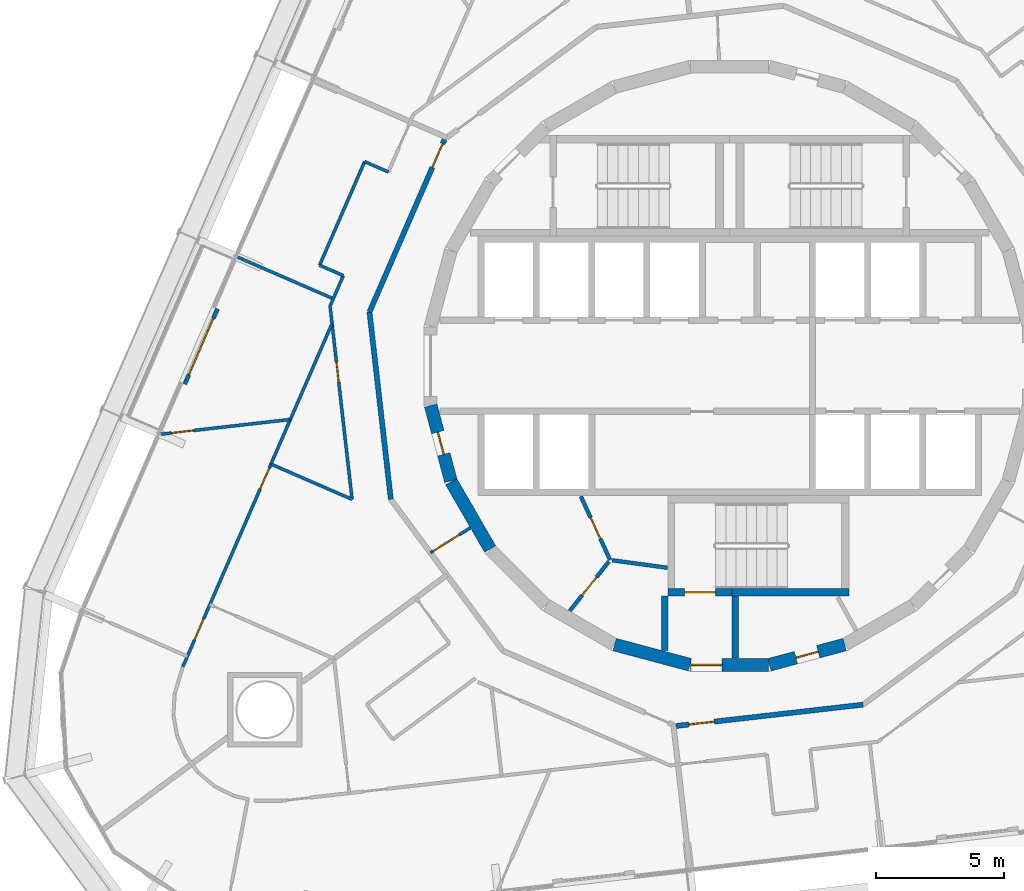
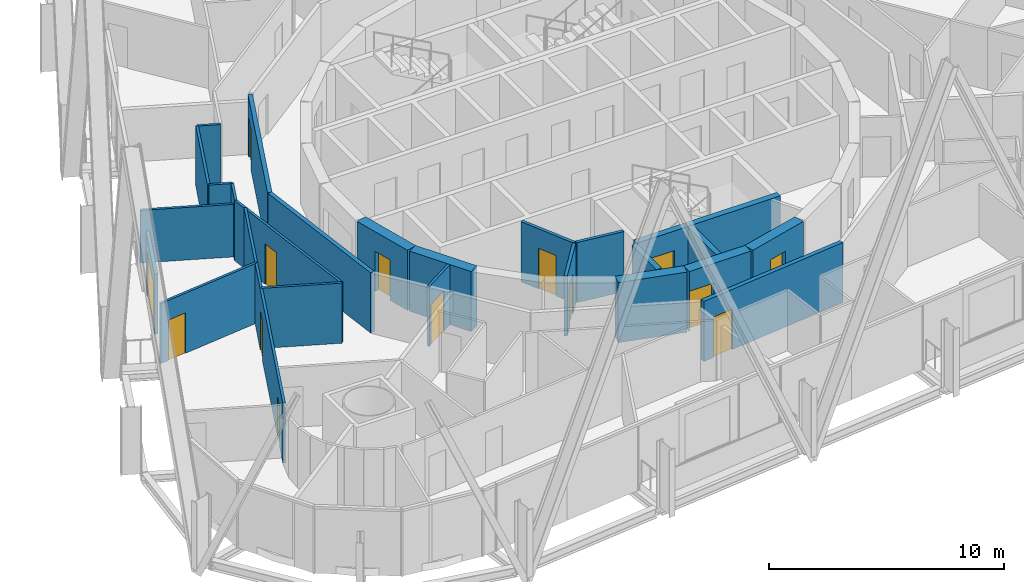
# One storey, part 17 of 23: 27 walls, 14 doors, 14 openings.
"""IFC4 building model written with IfcOpenShell, lengths in metres."""

from ifc_helpers import new_model, si_unit, direction, frame, frame_2d, origin, place, context, subcontext, project, spatial, rectangle, extrude, material, layer, layer_set, type_object, element, fill, save


model = new_model("IFC4")

# Units and contexts
model_context = context("Model", 3, precision=1e-05, world=origin(), true_north=direction((0.0, 1.0)))
body_context = subcontext(model_context, "Body", "Model", "MODEL_VIEW")
ifc_project = project(units=[si_unit("LENGTHUNIT", "METRE"), si_unit("AREAUNIT", "SQUARE_METRE"), si_unit("VOLUMEUNIT", "CUBIC_METRE"), si_unit("PLANEANGLEUNIT", "RADIAN"), si_unit("MASSUNIT", "GRAM", prefix="KILO")], contexts=[model_context])

# Site, building, storey
site_placement = place(None, origin())
site = spatial("IfcSite", under=ifc_project, at=site_placement, CompositionType="ELEMENT")
building_placement = place(site_placement, origin())
building = spatial("IfcBuilding", under=site, at=building_placement, Name="Spindle Arch Residences", CompositionType="ELEMENT")
storey_placement = place(building_placement, frame((0.0, 0.0, 90.699951171875)))
storey = spatial("IfcBuildingStorey", under=building, at=storey_placement, Name="L21", CompositionType="ELEMENT", Elevation=90.699951171875)

# Wall, opening, door
ifc_material_1 = material(Name="Concrete C50/60", Category="concrete")
ifc_layer_1 = layer(ifc_material_1, 0.5)
ifc_layer_set_1 = layer_set([ifc_layer_1], Name="Core outline wall 500")
wall_type_1 = type_object("IfcWallType", Name="Core outline wall 500", PredefinedType="SHEAR", material=ifc_layer_set_1)
wall_1_placement = place(storey_placement, frame((1.5498046875, -11.642822265625, 0.0), z_axis=(0.0, 0.0, 1.0), x_axis=(0.965948410781, 0.258734743916, 0.0)))
wall_1 = element("IfcWall", 1, at=wall_1_placement, inside=storey, type_object=wall_type_1, Name="Core outline wall 1", PredefinedType="SHEAR", context=body_context, shape_type="SweptSolid", body=[
    extrude(rectangle(XDim=3.03271484375, YDim=0.5, at=frame_2d((1.516357421875, 0.0))), origin(), (0.0, 0.0, 1.0), 3.1201171875),
])
opening_1_placement = place(wall_1_placement, frame((1.06640625, 0.0, 0.0)))
opening_1 = element("IfcOpeningElement", 2, at=opening_1_placement, cuts=wall_1, Name="Opening R2B0-WD08", PredefinedType="OPENING", context=body_context, shape_type="SweptSolid", body=[
    extrude(rectangle(XDim=0.89990234375, YDim=2.10009765625, at=frame_2d((0.449951171875, 1.050048828125))), frame((0.0, 0.260009765625, 0.0), z_axis=(0.0, -1.0, 0.0), x_axis=(1.0, 0.0, 0.0)), (0.0, 0.0, 1.0), 0.52001953125),
])
ifc_material_2 = material(Name="Steel, fire-resisting door", Category="steel")
door_type_1 = type_object("IfcDoorType", Name="Service room door 900x2100", OperationType="SINGLE_SWING_LEFT", PredefinedType="DOOR", material=ifc_material_2)
door_1_placement = place(opening_1_placement, origin())
door_1 = element("IfcDoor", 3, at=door_1_placement, inside=storey, type_object=door_type_1, Name="Service room door R2B0-WD08", OperationType="SINGLE_SWING_LEFT", OverallHeight=2.10009765625, OverallWidth=0.89990234375, PredefinedType="DOOR", context=body_context, shape_type="SweptSolid", body=[
    extrude(rectangle(XDim=0.89990234375, YDim=2.10009765625, at=frame_2d((0.449951171875, 1.050048828125))), frame((0.0, 0.02490234375, 0.0), z_axis=(0.0, -1.0, 0.0), x_axis=(1.0, 0.0, 0.0)), (0.0, 0.0, 1.0), 0.050048828125),
])
fill(opening_1, door_1)

wall_2_placement = place(storey_placement, frame((-11.642822265625, -1.5498046875, 0.0), z_axis=(0.0, 0.0, 1.0), x_axis=(0.258734743916, -0.965948410781, 0.0)))
wall_2 = element("IfcWall", 4, at=wall_2_placement, inside=storey, type_object=wall_type_1, Name="Core outline wall 19", PredefinedType="SHEAR", context=body_context, shape_type="SweptSolid", body=[
    extrude(rectangle(XDim=3.03271484375, YDim=0.5, at=frame_2d((1.516357421875, 0.0))), origin(), (0.0, 0.0, 1.0), 3.1201171875),
])
opening_2_placement = place(wall_2_placement, frame((1.06640625, 0.0, 0.0)))
opening_2 = element("IfcOpeningElement", 5, at=opening_2_placement, cuts=wall_2, Name="Opening R2B0-WD09", PredefinedType="OPENING", context=body_context, shape_type="SweptSolid", body=[
    extrude(rectangle(XDim=0.89990234375, YDim=2.10009765625, at=frame_2d((0.449951171875, 1.050048828125))), frame((0.0, 0.260009765625, 0.0), z_axis=(0.0, -1.0, 0.0), x_axis=(1.0, 0.0, 0.0)), (0.0, 0.0, 1.0), 0.52001953125),
])
door_2_placement = place(opening_2_placement, origin())
door_2 = element("IfcDoor", 6, at=door_2_placement, inside=storey, type_object=door_type_1, Name="Service room door R2B0-WD09", OperationType="SINGLE_SWING_RIGHT", OverallHeight=2.10009765625, OverallWidth=0.89990234375, PredefinedType="DOOR", context=body_context, shape_type="SweptSolid", body=[
    extrude(rectangle(XDim=0.89990234375, YDim=2.10009765625, at=frame_2d((0.449951171875, 1.050048828125))), frame((0.0, 0.02490234375, 0.0), z_axis=(0.0, -1.0, 0.0), x_axis=(1.0, 0.0, 0.0)), (0.0, 0.0, 1.0), 0.050048828125),
])
fill(opening_2, door_2)

# Walls
for number, where, z_axis, x_axis, name in (
    (7, (-10.84521484375, -4.510498046875, 0.0), (0.0, 0.0, 1.0), (0.500087131594, -0.865975092491, 0.0), "Core outline wall 20"),
    (8, (-4.479248046875, -10.858154296875, 0.0), (0.0, 0.0, 1.0), (0.965948410781, -0.258734743916, 0.0), "Core outline wall 23"),
):
    element("IfcWall", number, at=place(storey_placement, frame(where, z_axis=z_axis, x_axis=x_axis)), inside=storey, type_object=wall_type_1, Name=name, PredefinedType="SHEAR", context=body_context, shape_type="SweptSolid", body=[
        extrude(rectangle(XDim=3.03271484375, YDim=0.5, at=frame_2d((1.516357421875, 0.0))), origin(), (0.0, 0.0, 1.0), 3.1201171875),
    ])

# Wall, opening, door
wall_3_placement = place(storey_placement, frame((-1.516357421875, -11.647216796875, 0.0), z_axis=(0.0, 0.0, 1.0), x_axis=(1.0, 0.0, 0.0)))
wall_3 = element("IfcWall", 9, at=wall_3_placement, inside=storey, type_object=wall_type_1, Name="Core outline wall 24", PredefinedType="SHEAR", context=body_context, shape_type="SweptSolid", body=[
    extrude(rectangle(XDim=3.03271484375, YDim=0.5, at=frame_2d((1.516357421875, 0.0))), origin(), (0.0, 0.0, 1.0), 3.1201171875),
])
opening_3_placement = place(wall_3_placement, frame((0.016357421875, 0.0, 0.0)))
opening_3 = element("IfcOpeningElement", 10, at=opening_3_placement, cuts=wall_3, Name="Opening R2B0-AD03", PredefinedType="OPENING", context=body_context, shape_type="SweptSolid", body=[
    extrude(rectangle(XDim=1.199951171875, YDim=2.10009765625, at=frame_2d((0.60009765625, 1.050048828125))), frame((0.0, 0.260009765625, 0.0), z_axis=(0.0, -1.0, 0.0), x_axis=(1.0, 0.0, 0.0)), (0.0, 0.0, 1.0), 0.52001953125),
])
ifc_material_3 = material(Name="Steel, fire-resisting door", Category="steel")
door_type_2 = type_object("IfcDoorType", Name="Stair airlock door 1200x2100", OperationType="SINGLE_SWING_LEFT", PredefinedType="DOOR", material=ifc_material_3)
door_3_placement = place(opening_3_placement, origin())
door_3 = element("IfcDoor", 11, at=door_3_placement, inside=storey, type_object=door_type_2, Name="Stair airlock door R2B0-AD03", OperationType="SINGLE_SWING_RIGHT", OverallHeight=2.10009765625, OverallWidth=1.199951171875, PredefinedType="DOOR", context=body_context, shape_type="SweptSolid", body=[
    extrude(rectangle(XDim=1.199951171875, YDim=2.10009765625, at=frame_2d((0.60009765625, 1.050048828125))), frame((0.0, 0.02490234375, 0.0), z_axis=(0.0, -1.0, 0.0), x_axis=(1.0, 0.0, 0.0)), (0.0, 0.0, 1.0), 0.050048828125),
])
fill(opening_3, door_3)

ifc_material_4 = material(Name="Plasterboard on steel studs", Category="steel")
ifc_layer_2 = layer(ifc_material_4, 0.1201171875)
ifc_layer_set_2 = layer_set([ifc_layer_2], Name="Corridor division wall 120")
wall_type_2 = type_object("IfcWallType", Name="Corridor division wall 120", PredefinedType="PARTITIONING", material=ifc_layer_set_2)
wall_4_placement = place(storey_placement, frame((-11.654296875, -7.2822265625, 0.0), z_axis=(0.0, 0.0, 1.0), x_axis=(0.848117698675, 0.529807860638, 0.0)))
wall_4 = element("IfcWall", 12, at=wall_4_placement, inside=storey, type_object=wall_type_2, Name="Corridor division wall R2B0-W003", PredefinedType="PARTITIONING", context=body_context, shape_type="SweptSolid", body=[
    extrude(rectangle(XDim=1.837646484375, YDim=0.1201171875, at=frame_2d((0.9189453125, 0.0))), origin(), (0.0, 0.0, 1.0), 3.1201171875),
])
opening_4_placement = place(wall_4_placement, frame((0.114990234375, 0.0, 0.0)))
opening_4 = element("IfcOpeningElement", 13, at=opening_4_placement, cuts=wall_4, Name="Opening R2B0-CD03", PredefinedType="OPENING", context=body_context, shape_type="SweptSolid", body=[
    extrude(rectangle(XDim=1.199951171875, YDim=2.10009765625, at=frame_2d((0.60009765625, 1.050048828125))), frame((0.0, 0.070068359375, 0.0), z_axis=(0.0, -1.0, 0.0), x_axis=(1.0, 0.0, 0.0)), (0.0, 0.0, 1.0), 0.14013671875),
])
ifc_material_5 = material(Name="Steel, fire-resisting door", Category="steel")
door_type_3 = type_object("IfcDoorType", Name="Corridor division door 1200x2100", OperationType="NOTDEFINED", PredefinedType="DOOR", material=ifc_material_5)
door_4_placement = place(opening_4_placement, origin())
door_4 = element("IfcDoor", 14, at=door_4_placement, inside=storey, type_object=door_type_3, Name="Corridor division door R2B0-CD03", OperationType="DOUBLE_DOOR_SINGLE_SWING", OverallHeight=2.10009765625, OverallWidth=1.199951171875, PredefinedType="DOOR", context=body_context, shape_type="SweptSolid", body=[
    extrude(rectangle(XDim=1.199951171875, YDim=2.10009765625, at=frame_2d((0.60009765625, 1.050048828125))), frame((0.0, 0.02490234375, 0.0), z_axis=(0.0, -1.0, 0.0), x_axis=(1.0, 0.0, 0.0)), (0.0, 0.0, 1.0), 0.050048828125),
])
fill(opening_4, door_4)

ifc_material_6 = material(Name="Calcium silicate block, plastered")
ifc_layer_3 = layer(ifc_material_6, 0.199951171875)
ifc_layer_set_3 = layer_set([ifc_layer_3], Name="Corridor wall 200")
wall_type_3 = type_object("IfcWallType", Name="Corridor wall 200", PredefinedType="STANDARD", material=ifc_layer_set_3)
wall_5_placement = place(storey_placement, frame((-11.10009765625, 8.829345703125, 0.0), z_axis=(0.0, 0.0, 1.0), x_axis=(-0.398741918631, -0.917063183388, 0.0)))
wall_5 = element("IfcWall", 15, at=wall_5_placement, inside=storey, type_object=wall_type_3, Name="Corridor wall R2B0-W010", PredefinedType="STANDARD", context=body_context, shape_type="SweptSolid", body=[
    extrude(rectangle(XDim=7.341796875, YDim=0.199951171875, at=frame_2d((3.6708984375, 0.0))), origin(), (0.0, 0.0, 1.0), 3.1201171875),
])
opening_5_placement = place(wall_5_placement, frame((0.199951171875, 0.0, 0.0)))
opening_5 = element("IfcOpeningElement", 16, at=opening_5_placement, cuts=wall_5, Name="Opening R2B0-FD03", PredefinedType="OPENING", context=body_context, shape_type="SweptSolid", body=[
    extrude(rectangle(XDim=1.0, YDim=2.10009765625, at=frame_2d((0.5, 1.050048828125))), frame((0.0, 0.10986328125, 0.0), z_axis=(0.0, -1.0, 0.0), x_axis=(1.0, 0.0, 0.0)), (0.0, 0.0, 1.0), 0.219970703125),
])
ifc_material_7 = material(Name="Timber, fire-resisting door set", Category="wood")
door_type_4 = type_object("IfcDoorType", Name="Flat entrance door 1000x2100", OperationType="NOTDEFINED", PredefinedType="DOOR", material=ifc_material_7)
door_5_placement = place(opening_5_placement, origin())
door_5 = element("IfcDoor", 17, at=door_5_placement, inside=storey, type_object=door_type_4, Name="Flat entrance door R2B0-FD03", OperationType="SINGLE_SWING_LEFT", OverallHeight=2.10009765625, OverallWidth=1.0, PredefinedType="DOOR", context=body_context, shape_type="SweptSolid", body=[
    extrude(rectangle(XDim=1.0, YDim=2.10009765625, at=frame_2d((0.5, 1.050048828125))), frame((0.0, 0.02490234375, 0.0), z_axis=(0.0, -1.0, 0.0), x_axis=(1.0, 0.0, 0.0)), (0.0, 0.0, 1.0), 0.050048828125),
])
fill(opening_5, door_5)

# Wall
wall_6_placement = place(storey_placement, frame((-14.027587890625, 2.096435546875, 0.0), z_axis=(0.0, 0.0, 1.0), x_axis=(0.113226782163, -0.993569170114, 0.0)))
element("IfcWall", 18, at=wall_6_placement, inside=storey, type_object=wall_type_3, Name="Corridor wall R2B0-W011", PredefinedType="STANDARD", context=body_context, shape_type="SweptSolid", body=[
    extrude(rectangle(XDim=7.341796875, YDim=0.199951171875, at=frame_2d((3.6708984375, 0.0))), origin(), (0.0, 0.0, 1.0), 3.1201171875),
])

# Wall, opening, door
wall_7_placement = place(storey_placement, frame((-2.096435546875, -14.027587890625, 0.0), z_axis=(0.0, 0.0, 1.0), x_axis=(0.993569170114, 0.113226782163, 0.0)))
wall_7 = element("IfcWall", 19, at=wall_7_placement, inside=storey, type_object=wall_type_3, Name="Corridor wall R2B0-W014", PredefinedType="STANDARD", context=body_context, shape_type="SweptSolid", body=[
    extrude(rectangle(XDim=7.341796875, YDim=0.199951171875, at=frame_2d((3.6708984375, 0.0))), origin(), (0.0, 0.0, 1.0), 3.1201171875),
])
opening_6_placement = place(wall_7_placement, frame((0.5, 0.0, 0.0)))
opening_6 = element("IfcOpeningElement", 20, at=opening_6_placement, cuts=wall_7, Name="Opening R2B0-FD05", PredefinedType="OPENING", context=body_context, shape_type="SweptSolid", body=[
    extrude(rectangle(XDim=1.0, YDim=2.10009765625, at=frame_2d((0.5, 1.050048828125))), frame((0.0, 0.10986328125, 0.0), z_axis=(0.0, -1.0, 0.0), x_axis=(1.0, 0.0, 0.0)), (0.0, 0.0, 1.0), 0.219970703125),
])
door_6_placement = place(opening_6_placement, origin())
door_6 = element("IfcDoor", 21, at=door_6_placement, inside=storey, type_object=door_type_4, Name="Flat entrance door R2B0-FD05", OperationType="SINGLE_SWING_LEFT", OverallHeight=2.10009765625, OverallWidth=1.0, PredefinedType="DOOR", context=body_context, shape_type="SweptSolid", body=[
    extrude(rectangle(XDim=1.0, YDim=2.10009765625, at=frame_2d((0.5, 1.050048828125))), frame((0.0, 0.02490234375, 0.0), z_axis=(0.0, -1.0, 0.0), x_axis=(1.0, 0.0, 0.0)), (0.0, 0.0, 1.0), 0.050048828125),
])
fill(opening_6, door_6)

# Walls
ifc_material_8 = material(Name="Plasterboard on steel studs", Category="steel")
ifc_layer_4 = layer(ifc_material_8, 0.1201171875)
ifc_layer_set_4 = layer_set([ifc_layer_4], Name="Flat partition 120")
wall_type_4 = type_object("IfcWallType", Name="Flat partition 120", PredefinedType="PARTITIONING", material=ifc_layer_set_4)
wall_8_placement = place(storey_placement, frame((-13.291748046875, 7.550048828125, 0.0), z_axis=(0.0, 0.0, 1.0), x_axis=(-0.917016180017, 0.398850003871, 0.0)))
element("IfcWall", 22, at=wall_8_placement, inside=storey, type_object=wall_type_4, Name="Flat partition R2B0-W061", PredefinedType="PARTITIONING", context=body_context, shape_type="SweptSolid", body=[
    extrude(rectangle(XDim=1.0087890625, YDim=0.1201171875, at=frame_2d((0.50439453125, 0.0))), origin(), (0.0, 0.0, 1.0), 3.1201171875),
])
wall_9_placement = place(storey_placement, frame((-14.216796875, 7.952392578125, 0.0), z_axis=(0.0, 0.0, 1.0), x_axis=(-0.398722053614, -0.917071820503, 0.0)))
element("IfcWall", 23, at=wall_9_placement, inside=storey, type_object=wall_type_4, Name="Flat partition R2B0-W062", PredefinedType="PARTITIONING", context=body_context, shape_type="SweptSolid", body=[
    extrude(rectangle(XDim=4.400146484375, YDim=0.1201171875, at=frame_2d((2.2001953125, 0.0))), origin(), (0.0, 0.0, 1.0), 3.1201171875),
])
wall_10_placement = place(storey_placement, frame((-15.97119140625, 3.917236328125, 0.0), z_axis=(0.0, 0.0, 1.0), x_axis=(0.916977666233, -0.39893854117, 0.0)))
element("IfcWall", 24, at=wall_10_placement, inside=storey, type_object=wall_type_4, Name="Flat partition R2B0-W063", PredefinedType="PARTITIONING", context=body_context, shape_type="SweptSolid", body=[
    extrude(rectangle(XDim=1.008544921875, YDim=0.1201171875, at=frame_2d((0.50439453125, 0.0))), origin(), (0.0, 0.0, 1.0), 3.1201171875),
])
wall_11_placement = place(storey_placement, frame((-15.04638671875, 3.514892578125, 0.0), z_axis=(0.0, 0.0, 1.0), x_axis=(-0.398664137006, -0.917096999158, 0.0)))
element("IfcWall", 25, at=wall_11_placement, inside=storey, type_object=wall_type_4, Name="Flat partition R2B0-W064", PredefinedType="PARTITIONING", context=body_context, shape_type="SweptSolid", body=[
    extrude(rectangle(XDim=1.29638671875, YDim=0.1201171875, at=frame_2d((0.648193359375, 0.0))), origin(), (0.0, 0.0, 1.0), 3.1201171875),
])

# Wall, opening, door
wall_12_placement = place(storey_placement, frame((-15.563232421875, 2.325927734375, 0.0), z_axis=(0.0, 0.0, 1.0), x_axis=(0.113175769889, -0.993574982128, 0.0)))
wall_12 = element("IfcWall", 26, at=wall_12_placement, inside=storey, type_object=wall_type_4, Name="Flat partition R2B0-W065", PredefinedType="PARTITIONING", context=body_context, shape_type="SweptSolid", body=[
    extrude(rectangle(XDim=7.575927734375, YDim=0.1201171875, at=frame_2d((3.7880859375, 0.0))), origin(), (0.0, 0.0, 1.0), 3.1201171875),
])
opening_7_placement = place(wall_12_placement, frame((2.18505859375, 0.0, 0.0)))
opening_7 = element("IfcOpeningElement", 27, at=opening_7_placement, cuts=wall_12, Name="Opening R2B0-BD03", PredefinedType="OPENING", context=body_context, shape_type="SweptSolid", body=[
    extrude(rectangle(XDim=0.800048828125, YDim=2.10009765625, at=frame_2d((0.39990234375, 1.050048828125))), frame((0.0, 0.070068359375, 0.0), z_axis=(0.0, -1.0, 0.0), x_axis=(1.0, 0.0, 0.0)), (0.0, 0.0, 1.0), 0.14013671875),
])
ifc_material_9 = material(Name="Timber door set", Category="wood")
door_type_5 = type_object("IfcDoorType", Name="Bathroom door 800x2100", OperationType="NOTDEFINED", PredefinedType="DOOR", material=ifc_material_9)
door_7_placement = place(opening_7_placement, origin())
door_7 = element("IfcDoor", 28, at=door_7_placement, inside=storey, type_object=door_type_5, Name="Bathroom door R2B0-BD03", OperationType="SINGLE_SWING_RIGHT", OverallHeight=2.10009765625, OverallWidth=0.800048828125, PredefinedType="DOOR", context=body_context, shape_type="SweptSolid", body=[
    extrude(rectangle(XDim=0.800048828125, YDim=2.10009765625, at=frame_2d((0.39990234375, 1.050048828125))), frame((0.0, 0.02490234375, 0.0), z_axis=(0.0, -1.0, 0.0), x_axis=(1.0, 0.0, 0.0)), (0.0, 0.0, 1.0), 0.050048828125),
])
fill(opening_7, door_7)

# Wall
wall_13_placement = place(storey_placement, frame((-14.705810546875, -5.201416015625, 0.0), z_axis=(0.0, 0.0, 1.0), x_axis=(-0.917043017742, 0.398788294224, 0.0)))
element("IfcWall", 29, at=wall_13_placement, inside=storey, type_object=wall_type_4, Name="Flat partition R2B0-W066", PredefinedType="PARTITIONING", context=body_context, shape_type="SweptSolid", body=[
    extrude(rectangle(XDim=3.445556640625, YDim=0.1201171875, at=frame_2d((1.72265625, 0.0))), origin(), (0.0, 0.0, 1.0), 3.1201171875),
])

# Wall, openings, doors
wall_14_placement = place(storey_placement, frame((-17.109375, -2.088623046875, 0.0), z_axis=(0.0, 0.0, 1.0), x_axis=(-0.398743957683, -0.9170622968, 0.0)))
wall_14 = element("IfcWall", 30, at=wall_14_placement, inside=storey, type_object=wall_type_4, Name="Flat partition R2B0-W067", PredefinedType="PARTITIONING", context=body_context, shape_type="SweptSolid", body=[
    extrude(rectangle(XDim=10.5048828125, YDim=0.1201171875, at=frame_2d((5.25244140625, 0.0))), origin(), (0.0, 0.0, 1.0), 3.1201171875),
])
opening_8_placement = place(wall_14_placement, frame((2.055908203125, 0.0, 0.0)))
opening_8 = element("IfcOpeningElement", 31, at=opening_8_placement, cuts=wall_14, Name="Opening R2B0-ID14", PredefinedType="OPENING", context=body_context, shape_type="SweptSolid", body=[
    extrude(rectangle(XDim=0.89990234375, YDim=2.10009765625, at=frame_2d((0.449951171875, 1.050048828125))), frame((0.0, 0.070068359375, 0.0), z_axis=(0.0, -1.0, 0.0), x_axis=(1.0, 0.0, 0.0)), (0.0, 0.0, 1.0), 0.14013671875),
])
opening_9_placement = place(wall_14_placement, frame((8.4638671875, 0.0, 0.0)))
opening_9 = element("IfcOpeningElement", 32, at=opening_9_placement, cuts=wall_14, Name="Opening R2B0-ID18", PredefinedType="OPENING", context=body_context, shape_type="SweptSolid", body=[
    extrude(rectangle(XDim=0.89990234375, YDim=2.10009765625, at=frame_2d((0.449951171875, 1.050048828125))), frame((0.0, 0.070068359375, 0.0), z_axis=(0.0, -1.0, 0.0), x_axis=(1.0, 0.0, 0.0)), (0.0, 0.0, 1.0), 0.14013671875),
])
ifc_material_10 = material(Name="Timber door set", Category="wood")
door_type_6 = type_object("IfcDoorType", Name="Room door 900x2100", OperationType="NOTDEFINED", PredefinedType="DOOR", material=ifc_material_10)
door_8_placement = place(opening_8_placement, origin())
door_8 = element("IfcDoor", 33, at=door_8_placement, inside=storey, type_object=door_type_6, Name="Room door R2B0-ID14", OperationType="SINGLE_SWING_RIGHT", OverallHeight=2.10009765625, OverallWidth=0.89990234375, PredefinedType="DOOR", context=body_context, shape_type="SweptSolid", body=[
    extrude(rectangle(XDim=0.89990234375, YDim=2.10009765625, at=frame_2d((0.449951171875, 1.050048828125))), frame((0.0, 0.02490234375, 0.0), z_axis=(0.0, -1.0, 0.0), x_axis=(1.0, 0.0, 0.0)), (0.0, 0.0, 1.0), 0.050048828125),
])
fill(opening_8, door_8)
door_9_placement = place(opening_9_placement, origin())
door_9 = element("IfcDoor", 34, at=door_9_placement, inside=storey, type_object=door_type_6, Name="Room door R2B0-ID18", OperationType="SINGLE_SWING_LEFT", OverallHeight=2.10009765625, OverallWidth=0.89990234375, PredefinedType="DOOR", context=body_context, shape_type="SweptSolid", body=[
    extrude(rectangle(XDim=0.89990234375, YDim=2.10009765625, at=frame_2d((0.449951171875, 1.050048828125))), frame((0.0, 0.02490234375, 0.0), z_axis=(0.0, -1.0, 0.0), x_axis=(1.0, 0.0, 0.0)), (0.0, 0.0, 1.0), 0.050048828125),
])
fill(opening_9, door_9)

# Wall
wall_15_placement = place(storey_placement, frame((-17.109375, -2.088623046875, 0.0), z_axis=(0.0, 0.0, 1.0), x_axis=(0.398726111414, 0.917070056253, 0.0)))
element("IfcWall", 35, at=wall_15_placement, inside=storey, type_object=wall_type_4, Name="Flat partition R2B0-W070", PredefinedType="PARTITIONING", context=body_context, shape_type="SweptSolid", body=[
    extrude(rectangle(XDim=4.07177734375, YDim=0.1201171875, at=frame_2d((2.035888671875, 0.0))), origin(), (0.0, 0.0, 1.0), 3.1201171875),
])

# Wall, opening, door
wall_16_placement = place(storey_placement, frame((-22.157470703125, -2.663818359375, 0.0), z_axis=(0.0, 0.0, 1.0), x_axis=(0.993571026426, 0.113210491767, 0.0)))
wall_16 = element("IfcWall", 36, at=wall_16_placement, inside=storey, type_object=wall_type_4, Name="Flat partition R2B0-W071", PredefinedType="PARTITIONING", context=body_context, shape_type="SweptSolid", body=[
    extrude(rectangle(XDim=5.080810546875, YDim=0.1201171875, at=frame_2d((2.54052734375, 0.0))), origin(), (0.0, 0.0, 1.0), 3.1201171875),
])
opening_10_placement = place(wall_16_placement, frame((0.39990234375, 0.0, 0.0)))
opening_10 = element("IfcOpeningElement", 37, at=opening_10_placement, cuts=wall_16, Name="Opening R2B0-ID16", PredefinedType="OPENING", context=body_context, shape_type="SweptSolid", body=[
    extrude(rectangle(XDim=0.89990234375, YDim=2.10009765625, at=frame_2d((0.449951171875, 1.050048828125))), frame((0.0, 0.070068359375, 0.0), z_axis=(0.0, -1.0, 0.0), x_axis=(1.0, 0.0, 0.0)), (0.0, 0.0, 1.0), 0.14013671875),
])
door_10_placement = place(opening_10_placement, origin())
door_10 = element("IfcDoor", 38, at=door_10_placement, inside=storey, type_object=door_type_6, Name="Room door R2B0-ID16", OperationType="SINGLE_SWING_LEFT", OverallHeight=2.10009765625, OverallWidth=0.89990234375, PredefinedType="DOOR", context=body_context, shape_type="SweptSolid", body=[
    extrude(rectangle(XDim=0.89990234375, YDim=2.10009765625, at=frame_2d((0.449951171875, 1.050048828125))), frame((0.0, 0.02490234375, 0.0), z_axis=(0.0, -1.0, 0.0), x_axis=(1.0, 0.0, 0.0)), (0.0, 0.0, 1.0), 0.050048828125),
])
fill(opening_10, door_10)

# Wall
ifc_material_11 = material(Name="Plasterboard on steel studs", Category="steel")
ifc_layer_5 = layer(ifc_material_11, 0.1201171875)
ifc_layer_set_5 = layer_set([ifc_layer_5], Name="Flat partition 120 under beam 2730")
wall_type_5 = type_object("IfcWallType", Name="Flat partition 120 under beam 2730", PredefinedType="PARTITIONING", material=ifc_layer_set_5)
wall_17_placement = place(storey_placement, frame((-19.1591796875, 4.231201171875, 0.0), z_axis=(0.0, 0.0, 1.0), x_axis=(0.91704996524, -0.398772317562, 0.0)))
element("IfcWall", 39, at=wall_17_placement, inside=storey, type_object=wall_type_5, Name="Flat partition R2B0-W069", PredefinedType="PARTITIONING", context=body_context, shape_type="SweptSolid", body=[
    extrude(rectangle(XDim=4.057373046875, YDim=0.1201171875, at=frame_2d((2.02880859375, 0.0))), origin(), (0.0, 0.0, 1.0), 2.72998046875),
])

# Wall, opening, door
ifc_material_12 = material(Name="Non-combustible mineral wool insulated aluminium faced external wall (K0)", Category="aluminium")
ifc_layer_6 = layer(ifc_material_12, 0.159912109375)
ifc_layer_set_6 = layer_set([ifc_layer_6], Name="Insulated external wall panel 160")
wall_type_6 = type_object("IfcWallType", Name="Insulated external wall panel 160", PredefinedType="STANDARD", material=ifc_layer_set_6)
wall_18_placement = place(storey_placement, frame((-19.947021484375, 2.218994140625, 0.0), z_axis=(0.0, 0.0, 1.0), x_axis=(-0.398784695066, -0.917044582876, 0.0)))
wall_18 = element("IfcWall", 40, at=wall_18_placement, inside=storey, type_object=wall_type_6, Name="External wall L21 bay 17", PredefinedType="STANDARD", context=body_context, shape_type="SweptSolid", body=[
    extrude(rectangle(XDim=3.199951171875, YDim=0.159912109375, at=frame_2d((1.60009765625, 0.0))), origin(), (0.0, 0.0, 1.0), 3.1201171875),
])
opening_11_placement = place(wall_18_placement, frame((0.39990234375, 0.0, 0.0)))
opening_11 = element("IfcOpeningElement", 41, at=opening_11_placement, cuts=wall_18, Name="Opening BD17", PredefinedType="OPENING", context=body_context, shape_type="SweptSolid", body=[
    extrude(rectangle(XDim=2.39990234375, YDim=2.39990234375, at=frame_2d((1.199951171875, 1.199951171875))), frame((0.0, 0.08984375, 0.0), z_axis=(0.0, -1.0, 0.0), x_axis=(1.0, 0.0, 0.0)), (0.0, 0.0, 1.0), 0.179931640625),
])
ifc_material_13 = material(Name="Bronze aluminium frame, tinted double glazing", Category="aluminium")
door_type_7 = type_object("IfcDoorType", Name="Sliding glazed balcony door 2400x2400", OperationType="DOUBLE_DOOR_SLIDING", PredefinedType="DOOR", material=ifc_material_13)
door_11_placement = place(opening_11_placement, origin())
door_11 = element("IfcDoor", 42, at=door_11_placement, inside=storey, type_object=door_type_7, Name="Balcony door BD17", OperationType="DOUBLE_DOOR_SLIDING", OverallHeight=2.39990234375, OverallWidth=2.39990234375, PredefinedType="DOOR", context=body_context, shape_type="SweptSolid", body=[
    extrude(rectangle(XDim=2.39990234375, YDim=2.39990234375, at=frame_2d((1.199951171875, 1.199951171875))), frame((0.0, 0.02490234375, 0.0), z_axis=(0.0, -1.0, 0.0), x_axis=(1.0, 0.0, 0.0)), (0.0, 0.0, 1.0), 0.050048828125),
])
fill(opening_11, door_11)

ifc_material_14 = material(Name="Concrete C25/30", Category="concrete")
ifc_layer_7 = layer(ifc_material_14, 0.14990234375)
ifc_layer_set_7 = layer_set([ifc_layer_7], Name="Service room partition 150")
wall_type_7 = type_object("IfcWallType", Name="Service room partition 150", PredefinedType="PARTITIONING", material=ifc_layer_set_7)
wall_19_placement = place(storey_placement, frame((-5.794921875, -5.086181640625, 0.0), z_axis=(0.0, 0.0, 1.0), x_axis=(0.417887867606, -0.908498613157, 0.0)))
wall_19 = element("IfcWall", 43, at=wall_19_placement, inside=storey, type_object=wall_type_7, Name="Core service room partition", PredefinedType="PARTITIONING", context=body_context, shape_type="SweptSolid", body=[
    extrude(rectangle(XDim=2.72607421875, YDim=0.14990234375, at=frame_2d((1.363037109375, 0.0))), origin(), (0.0, 0.0, 1.0), 3.1201171875),
])
opening_12_placement = place(wall_19_placement, frame((0.912841796875, 0.0, 0.0)))
opening_12 = element("IfcOpeningElement", 44, at=opening_12_placement, cuts=wall_19, Name="Opening R2B0-WD05", PredefinedType="OPENING", context=body_context, shape_type="SweptSolid", body=[
    extrude(rectangle(XDim=0.89990234375, YDim=2.10009765625, at=frame_2d((0.449951171875, 1.050048828125))), frame((0.0, 0.0849609375, 0.0), z_axis=(0.0, -1.0, 0.0), x_axis=(1.0, 0.0, 0.0)), (0.0, 0.0, 1.0), 0.169921875),
])
door_12_placement = place(opening_12_placement, origin())
door_12 = element("IfcDoor", 45, at=door_12_placement, inside=storey, type_object=door_type_1, Name="Service room door R2B0-WD05", OperationType="SINGLE_SWING_RIGHT", OverallHeight=2.10009765625, OverallWidth=0.89990234375, PredefinedType="DOOR", context=body_context, shape_type="SweptSolid", body=[
    extrude(rectangle(XDim=0.89990234375, YDim=2.10009765625, at=frame_2d((0.449951171875, 1.050048828125))), frame((0.0, 0.02490234375, 0.0), z_axis=(0.0, -1.0, 0.0), x_axis=(1.0, 0.0, 0.0)), (0.0, 0.0, 1.0), 0.050048828125),
])
fill(opening_12, door_12)

wall_20_placement = place(storey_placement, frame((-4.70556640625, -7.62548828125, 0.0), z_axis=(0.0, 0.0, 1.0), x_axis=(-0.621392599334, -0.783499353856, 0.0)))
wall_20 = element("IfcWall", 46, at=wall_20_placement, inside=storey, type_object=wall_type_7, Name="Core service room partition", PredefinedType="PARTITIONING", context=body_context, shape_type="SweptSolid", body=[
    extrude(rectangle(XDim=2.447265625, YDim=0.14990234375, at=frame_2d((1.2236328125, 0.0))), origin(), (0.0, 0.0, 1.0), 3.1201171875),
])
opening_13_placement = place(wall_20_placement, frame((0.773681640625, 0.0, 0.0)))
opening_13 = element("IfcOpeningElement", 47, at=opening_13_placement, cuts=wall_20, Name="Opening R2B0-WD06", PredefinedType="OPENING", context=body_context, shape_type="SweptSolid", body=[
    extrude(rectangle(XDim=0.89990234375, YDim=2.10009765625, at=frame_2d((0.449951171875, 1.050048828125))), frame((0.0, 0.0849609375, 0.0), z_axis=(0.0, -1.0, 0.0), x_axis=(1.0, 0.0, 0.0)), (0.0, 0.0, 1.0), 0.169921875),
])
door_13_placement = place(opening_13_placement, origin())
door_13 = element("IfcDoor", 48, at=door_13_placement, inside=storey, type_object=door_type_1, Name="Service room door R2B0-WD06", OperationType="SINGLE_SWING_LEFT", OverallHeight=2.10009765625, OverallWidth=0.89990234375, PredefinedType="DOOR", context=body_context, shape_type="SweptSolid", body=[
    extrude(rectangle(XDim=0.89990234375, YDim=2.10009765625, at=frame_2d((0.449951171875, 1.050048828125))), frame((0.0, 0.02490234375, 0.0), z_axis=(0.0, -1.0, 0.0), x_axis=(1.0, 0.0, 0.0)), (0.0, 0.0, 1.0), 0.050048828125),
])
fill(opening_13, door_13)

# Walls
wall_21_placement = place(storey_placement, frame((-2.419921875, -7.865234375, 0.0), z_axis=(0.0, 0.0, 1.0), x_axis=(-0.990972299108, 0.134066783362, 0.0)))
element("IfcWall", 49, at=wall_21_placement, inside=storey, type_object=wall_type_7, Name="Core service room partition", PredefinedType="PARTITIONING", context=body_context, shape_type="SweptSolid", body=[
    extrude(rectangle(XDim=2.176025390625, YDim=0.14990234375, at=frame_2d((1.087890625, 0.0))), origin(), (0.0, 0.0, 1.0), 3.1201171875),
])
ifc_material_15 = material(Name="Concrete C40/50", Category="concrete")
ifc_layer_8 = layer(ifc_material_15, 0.25)
ifc_layer_set_8 = layer_set([ifc_layer_8], Name="Stair airlock wall 250")
wall_type_8 = type_object("IfcWallType", Name="Stair airlock wall 250", PredefinedType="SHEAR", material=ifc_layer_set_8)
wall_22_placement = place(storey_placement, frame((-2.52490234375, -8.969970703125, 0.0), z_axis=(0.0, 0.0, 1.0), x_axis=(0.0, -1.0, 0.0)))
element("IfcWall", 50, at=wall_22_placement, inside=storey, type_object=wall_type_8, Name="Stair ST-3 airlock wall W", PredefinedType="SHEAR", context=body_context, shape_type="SweptSolid", body=[
    extrude(rectangle(XDim=2.110107421875, YDim=0.25, at=frame_2d((1.05517578125, 0.0))), origin(), (0.0, 0.0, 1.0), 3.1201171875),
])
wall_23_placement = place(storey_placement, frame((0.22509765625, -8.969970703125, 0.0), z_axis=(0.0, 0.0, 1.0), x_axis=(0.0, -1.0, 0.0)))
element("IfcWall", 51, at=wall_23_placement, inside=storey, type_object=wall_type_8, Name="Stair ST-3 airlock wall E", PredefinedType="SHEAR", context=body_context, shape_type="SweptSolid", body=[
    extrude(rectangle(XDim=2.409912109375, YDim=0.25, at=frame_2d((1.205078125, 0.0))), origin(), (0.0, 0.0, 1.0), 3.1201171875),
])
ifc_material_16 = material(Name="Concrete C50/60", Category="concrete")
ifc_layer_9 = layer(ifc_material_16, 0.300048828125)
ifc_layer_set_9 = layer_set([ifc_layer_9], Name="Stair enclosure wall 300")
wall_type_9 = type_object("IfcWallType", Name="Stair enclosure wall 300", PredefinedType="SHEAR", material=ifc_layer_set_9)
wall_24_placement = place(storey_placement, frame((0.10009765625, -8.820068359375, 0.0), z_axis=(0.0, 0.0, 1.0), x_axis=(1.0, 0.0, 0.0)))
element("IfcWall", 52, at=wall_24_placement, inside=storey, type_object=wall_type_9, Name="Stair ST-3 enclosure wall S", PredefinedType="SHEAR", context=body_context, shape_type="SweptSolid", body=[
    extrude(rectangle(XDim=4.5498046875, YDim=0.300048828125, at=frame_2d((2.27490234375, 0.0))), origin(), (0.0, 0.0, 1.0), 3.1201171875),
])

# Wall, opening, door
wall_25_placement = place(storey_placement, frame((-2.39990234375, -8.820068359375, 0.0), z_axis=(0.0, 0.0, 1.0), x_axis=(1.0, 0.0, 0.0)))
wall_25 = element("IfcWall", 53, at=wall_25_placement, inside=storey, type_object=wall_type_9, Name="Stair ST-3 door wall", PredefinedType="SHEAR", context=body_context, shape_type="SweptSolid", body=[
    extrude(rectangle(XDim=2.5, YDim=0.300048828125, at=frame_2d((1.25, 0.0))), origin(), (0.0, 0.0, 1.0), 3.1201171875),
])
opening_14_placement = place(wall_25_placement, frame((0.64990234375, 0.0, 0.0)))
opening_14 = element("IfcOpeningElement", 54, at=opening_14_placement, cuts=wall_25, Name="Opening R2B0-SD03", PredefinedType="OPENING", context=body_context, shape_type="SweptSolid", body=[
    extrude(rectangle(XDim=1.199951171875, YDim=2.10009765625, at=frame_2d((0.60009765625, 1.050048828125))), frame((0.0, 0.16015625, 0.0), z_axis=(0.0, -1.0, 0.0), x_axis=(1.0, 0.0, 0.0)), (0.0, 0.0, 1.0), 0.320068359375),
])
ifc_material_17 = material(Name="Steel, fire-resisting door", Category="steel")
door_type_8 = type_object("IfcDoorType", Name="Stair door 1200x2100", OperationType="SINGLE_SWING_RIGHT", PredefinedType="DOOR", material=ifc_material_17)
door_14_placement = place(opening_14_placement, origin())
door_14 = element("IfcDoor", 55, at=door_14_placement, inside=storey, type_object=door_type_8, Name="Stair door R2B0-SD03", OperationType="SINGLE_SWING_LEFT", OverallHeight=2.10009765625, OverallWidth=1.199951171875, PredefinedType="DOOR", context=body_context, shape_type="SweptSolid", body=[
    extrude(rectangle(XDim=1.199951171875, YDim=2.10009765625, at=frame_2d((0.60009765625, 1.050048828125))), frame((0.0, 0.02490234375, 0.0), z_axis=(0.0, -1.0, 0.0), x_axis=(1.0, 0.0, 0.0)), (0.0, 0.0, 1.0), 0.050048828125),
])
fill(opening_14, door_14)

save(model, "model.ifc")
